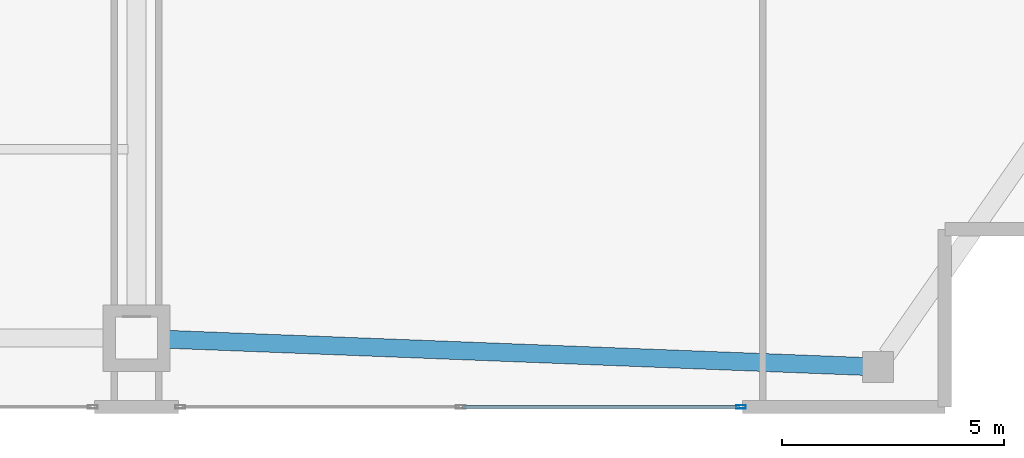
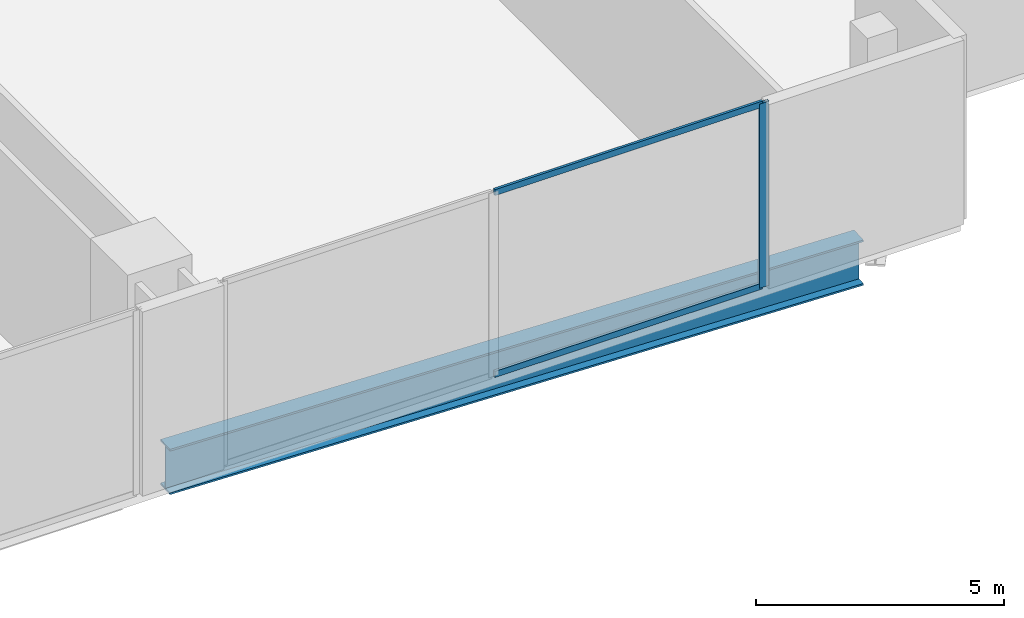
# One storey, part 12 of 33: 3 members, 1 beam, 1 element without a shape of its own.
"""IFC4 building model written with IfcOpenShell, lengths in metres."""

from ifc_helpers import new_model, si_unit, direction, frame, origin, origin_2d, place, context, subcontext, project, spatial, hollow_rectangle, i_section, extrude, material, layer, layer_set, material_profile, profile_set, type_object, element, aggregate, save


model = new_model("IFC4")

# Units and contexts
model_context = context("Model", 3, precision=1e-05, world=origin(), true_north=direction((0.0, 1.0)))
body_context = subcontext(model_context, "Body", "Model", "MODEL_VIEW")
ifc_project = project(units=[si_unit("LENGTHUNIT", "METRE"), si_unit("AREAUNIT", "SQUARE_METRE"), si_unit("VOLUMEUNIT", "CUBIC_METRE"), si_unit("PLANEANGLEUNIT", "RADIAN"), si_unit("MASSUNIT", "GRAM", prefix="KILO")], contexts=[model_context])

# Site, building, storey
site_placement = place(None, origin())
site = spatial("IfcSite", under=ifc_project, at=site_placement, CompositionType="ELEMENT")
building_placement = place(site_placement, origin())
building = spatial("IfcBuilding", under=site, at=building_placement, Name="Zuhayl Quay Hotel", CompositionType="ELEMENT")
storey_placement = place(building_placement, frame((0.0, 0.0, 18.0)))
storey = spatial("IfcBuildingStorey", under=building, at=storey_placement, Name="L03", CompositionType="ELEMENT", Elevation=18.0)

# Beam
ifc_material_1 = material(Name="Steel ASTM A913 Grade 65", Category="steel")
ifc_material_profile_1 = material_profile(ifc_material_1, i_section(OverallWidth=0.404052734375, OverallDepth=1.117919921875, WebThickness=0.026123046875, FlangeThickness=0.044921875, at=origin_2d()), Name="W44X335")
ifc_profile_set_1 = profile_set([ifc_material_profile_1], Name="Steel ASTM A913 Grade 65")
beam_type = type_object("IfcBeamType", Name="BM_TG1_W44X335", PredefinedType="BEAM", material=ifc_profile_set_1)
beam_placement = place(storey_placement, frame((14.349609375, -22.471435546875, -0.819091796875), z_axis=(0.999243175194, -0.038898288239, 0.0), x_axis=(0.038898288239, 0.999243175194, 0.0)))
element("IfcBeam", 1, at=beam_placement, inside=storey, type_object=beam_type, Name="L03 Floor Beam PG_S_L03_4", PredefinedType="BEAM", context=body_context, shape_type="SweptSolid", body=[
    extrude(i_section(OverallWidth=0.404052734375, OverallDepth=1.117919921875, WebThickness=0.026123046875, FlangeThickness=0.044921875, at=origin_2d()), origin(), (0.0, 0.0, 1.0), 15.82275390625),
])

# Curtain wall, members
ifc_material_2 = material(Name="Anodised Aluminium 6063-T6", Category="aluminium")
ifc_layer = layer(ifc_material_2, 0.199951171875, Name="Anodised Aluminium 6063-T6", Category="aluminium")
ifc_layer_set = layer_set([ifc_layer], Name="Anodised Aluminium 6063-T6")
curtain_wall_type = type_object("IfcCurtainWallType", Name="CW_SYS_POD", PredefinedType="USERDEFINED", material=ifc_layer_set)
curtain_wall_placement = place(storey_placement, origin())
curtain_wall = element("IfcCurtainWall", 2, at=curtain_wall_placement, inside=storey, type_object=curtain_wall_type, Name="L03 Curtain Wall ENV_L03_E11_CW1", ObjectType="UNITISED CURTAIN WALL", PredefinedType="USERDEFINED")
ifc_material_3 = material(Name="Black-anodised aluminium 6063-T6", Category="aluminium")
ifc_material_profile_2 = material_profile(ifc_material_3, hollow_rectangle(XDim=0.074951171875, YDim=0.219970703125, WallThickness=0.00390625, at=origin_2d()), Name="ALU220X75")
ifc_profile_set_2 = profile_set([ifc_material_profile_2], Name="Black-anodised aluminium 6063-T6")
member_type_1 = type_object("IfcMemberType", Name="MB_CW_MUL_220", PredefinedType="MULLION", material=ifc_profile_set_2)
member_1_placement = place(storey_placement, frame((27.41259765625, -24.0, 0.0), z_axis=(0.0, 0.0, 1.0), x_axis=(0.0, -1.0, 0.0)))
member_1 = element("IfcMember", 3, at=member_1_placement, type_object=member_type_1, Name="CW-POD mullion 1", PredefinedType="MULLION", context=body_context, shape_type="SweptSolid", body=[
    extrude(hollow_rectangle(XDim=0.074951171875, YDim=0.219970703125, WallThickness=0.00390625, at=origin_2d()), origin(), (0.0, 0.0, 1.0), 4.5400390625),
])
ifc_material_profile_3 = material_profile(ifc_material_3, hollow_rectangle(XDim=0.06005859375, YDim=0.14990234375, WallThickness=0.00341796875, at=origin_2d()), Name="ALU150X60")
ifc_profile_set_3 = profile_set([ifc_material_profile_3], Name="Black-anodised aluminium 6063-T6")
member_type_2 = type_object("IfcMemberType", Name="MB_CW_TRN_150", PredefinedType="USERDEFINED", material=ifc_profile_set_3)
member_2_placement = place(storey_placement, frame((27.375, -24.0, 0.030029296875), z_axis=(-1.0, 0.0, 0.0), x_axis=(0.0, -1.0, 0.0)))
member_2 = element("IfcMember", 4, at=member_2_placement, type_object=member_type_2, Name="CW-POD transom 1.1", ObjectType="TRANSOM", PredefinedType="USERDEFINED", context=body_context, shape_type="SweptSolid", body=[
    extrude(hollow_rectangle(XDim=0.06005859375, YDim=0.14990234375, WallThickness=0.00341796875, at=origin_2d()), origin(), (0.0, 0.0, 1.0), 6.237548828125),
])
member_3_placement = place(storey_placement, frame((27.375, -24.0, 4.510009765625), z_axis=(-1.0, 0.0, 0.0), x_axis=(0.0, -1.0, 0.0)))
member_3 = element("IfcMember", 5, at=member_3_placement, type_object=member_type_2, Name="CW-POD transom 1.2", ObjectType="TRANSOM", PredefinedType="USERDEFINED", context=body_context, shape_type="SweptSolid", body=[
    extrude(hollow_rectangle(XDim=0.06005859375, YDim=0.14990234375, WallThickness=0.00341796875, at=origin_2d()), origin(), (0.0, 0.0, 1.0), 6.237548828125),
])
aggregate(curtain_wall, [member_1, member_2, member_3])

save(model, "model.ifc")
